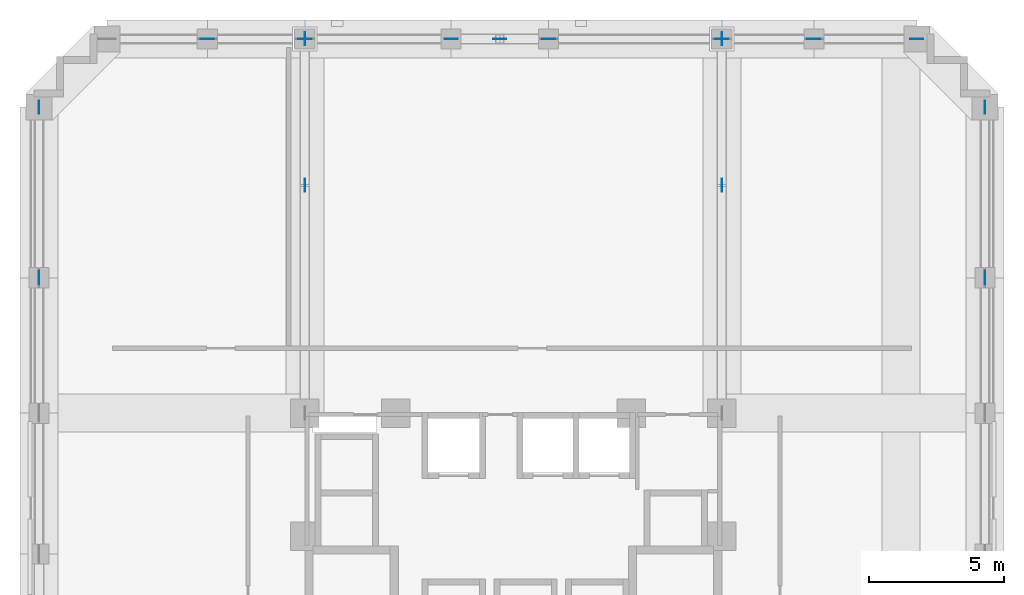
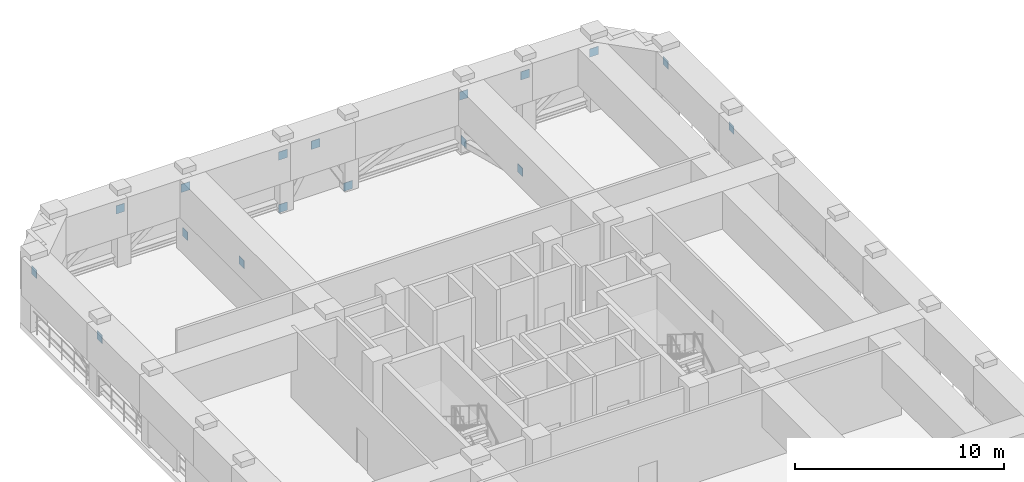
# One storey, part 8 of 11: 17 discrete accessories.
"""IFC4 building model written with IfcOpenShell, lengths in metres."""

from ifc_helpers import new_model, si_unit, derived_unit, direction, frame, origin, origin_2d, place, context, subcontext, project, spatial, rectangle, extrude, material, layer, layer_set, type_object, element, save


model = new_model("IFC4")

# Units and contexts
model_context = context("Model", 3, precision=1e-05, world=origin(), true_north=direction((0.0, 1.0)))
body_context = subcontext(model_context, "Body", "Model", "MODEL_VIEW")
ifc_project = project(units=[si_unit("LENGTHUNIT", "METRE"), si_unit("AREAUNIT", "SQUARE_METRE"), si_unit("VOLUMEUNIT", "CUBIC_METRE"), si_unit("PLANEANGLEUNIT", "RADIAN"), si_unit("MASSUNIT", "GRAM", prefix="KILO"), derived_unit("THERMALTRANSMITTANCEUNIT", [(si_unit("MASSUNIT", "GRAM", prefix="KILO"), 1), (si_unit("TIMEUNIT", "SECOND"), -3), (si_unit("THERMODYNAMICTEMPERATUREUNIT", "KELVIN"), -1)])], contexts=[model_context])

# Site, building, storey
site_placement = place(None, origin())
site = spatial("IfcSite", under=ifc_project, at=site_placement, CompositionType="ELEMENT")
building_placement = place(site_placement, origin())
building = spatial("IfcBuilding", under=site, at=building_placement, Name="Korrvale Station Residences", CompositionType="ELEMENT")
storey_placement = place(building_placement, frame((0.0, 0.0, 119.89990234375)))
storey = spatial("IfcBuildingStorey", under=building, at=storey_placement, Name="L34", CompositionType="ELEMENT", Elevation=119.89990234375)

# Discrete accessories
ifc_material = material(Name="Steel S355", Category="steel")
ifc_layer = layer(ifc_material, 0.02490234375, Name="Steel S355")
ifc_layer_set = layer_set([ifc_layer], Name="Steel S355")
discrete_accessory_type = type_object("IfcDiscreteAccessoryType", Name="ACC-GUSSET-25", PredefinedType="BRACKET", material=ifc_layer_set)
for number, where, z_axis, x_axis, name in (
    (1, (23.199951171875, 42.820068359375, -0.219970703125), (0.0, 0.0, 1.0), (1.0, 0.0, 0.0), "L34 N Brace End Gusset Connection A"),
    (2, (26.800048828125, 42.820068359375, -0.219970703125), (0.0, 0.0, 1.0), (1.0, 0.0, 0.0), "L34 N Brace End Gusset Connection B"),
    (3, (25.0, 42.820068359375, 2.860107421875), (0.0, 0.0, 1.0), (1.0, 0.0, 0.0), "L34 N Brace End Gusset Connection M"),
    (4, (14.199951171875, 42.820068359375, 2.860107421875), (0.0, 0.0, 1.0), (1.0, 0.0, 0.0), "L34 Belt Truss Top Gusset Connection 07"),
    (5, (17.800048828125, 42.820068359375, 2.860107421875), (0.0, 0.0, 1.0), (1.0, 0.0, 0.0), "L34 Belt Truss Top Gusset Connection 08"),
    (6, (23.199951171875, 42.820068359375, 2.860107421875), (0.0, 0.0, 1.0), (1.0, 0.0, 0.0), "L34 Belt Truss Top Gusset Connection 09"),
    (7, (33.199951171875, 42.820068359375, 2.860107421875), (0.0, 0.0, 1.0), (1.0, 0.0, 0.0), "L34 Belt Truss Top Gusset Connection 10"),
    (8, (36.60009765625, 42.820068359375, 2.860107421875), (0.0, 0.0, 1.0), (1.0, 0.0, 0.0), "L34 Belt Truss Top Gusset Connection 11"),
    (9, (40.39990234375, 42.820068359375, 2.860107421875), (0.0, 0.0, 1.0), (1.0, 0.0, 0.0), "L34 Belt Truss Top Gusset Connection 12"),
    (10, (7.97998046875, 34.0, 2.860107421875), (0.0, 0.0, 1.0), (0.0, 1.0, 0.0), "L34 Belt Truss Top Gusset Connection 17"),
    (11, (7.97998046875, 40.300048828125, 2.860107421875), (0.0, 0.0, 1.0), (0.0, 1.0, 0.0), "L34 Belt Truss Top Gusset Connection 18"),
    (12, (42.919921875, 34.0, 2.860107421875), (0.0, 0.0, 1.0), (0.0, 1.0, 0.0), "L34 Belt Truss Top Gusset Connection 23"),
    (13, (42.919921875, 40.300048828125, 2.860107421875), (0.0, 0.0, 1.0), (0.0, 1.0, 0.0), "L34 Belt Truss Top Gusset Connection 24"),
    (14, (17.800048828125, 42.820068359375, 0.110107421875), (0.0, 0.0, 1.0), (0.0, 1.0, 0.0), "L34 Outrigger Gusset Connection 3A"),
    (15, (17.800048828125, 37.409912109375, 1.739990234375), (0.0, 0.0, 1.0), (0.0, 1.0, 0.0), "L34 Outrigger Gusset Connection 3M"),
    (16, (33.199951171875, 42.820068359375, 0.110107421875), (0.0, 0.0, 1.0), (0.0, 1.0, 0.0), "L34 Outrigger Gusset Connection 4A"),
    (17, (33.199951171875, 37.409912109375, 1.739990234375), (0.0, 0.0, 1.0), (0.0, 1.0, 0.0), "L34 Outrigger Gusset Connection 4M"),
):
    element("IfcDiscreteAccessory", number, at=place(storey_placement, frame(where, z_axis=z_axis, x_axis=x_axis)), inside=storey, type_object=discrete_accessory_type, Name=name, PredefinedType="BRACKET", context=body_context, shape_type="SweptSolid", body=[
        extrude(rectangle(XDim=0.47998046875, YDim=0.02490234375, at=origin_2d()), origin(), (0.0, 0.0, 1.0), 0.47998046875),
    ])

save(model, "model.ifc")
